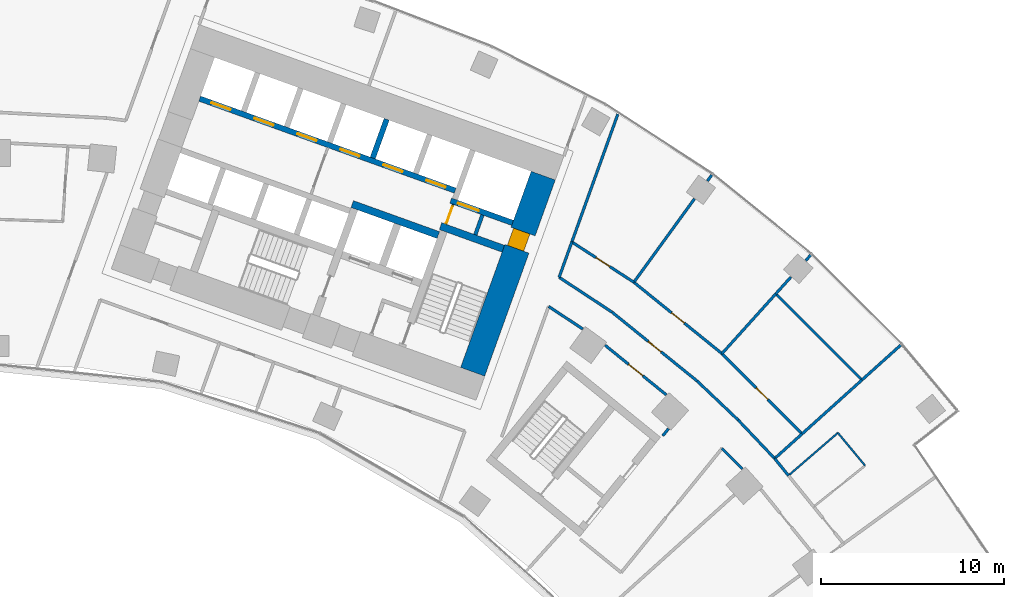
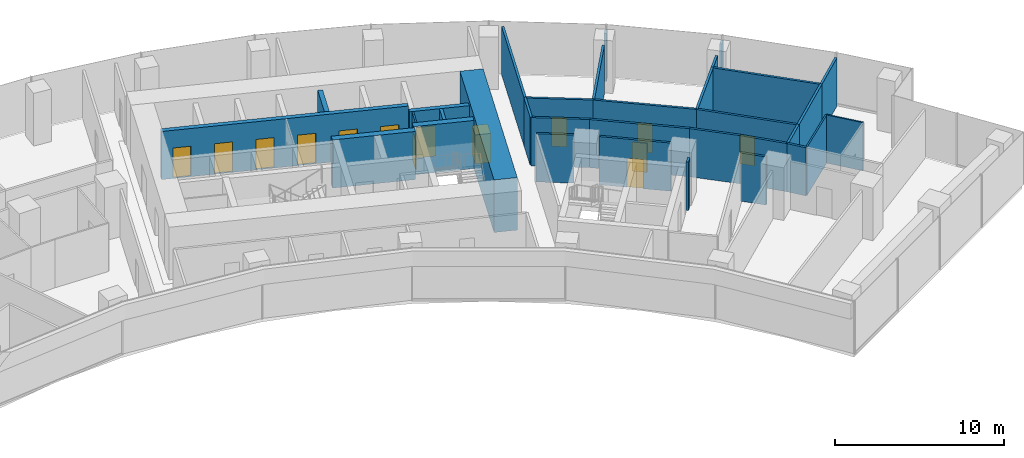
# One storey, part 16 of 19: 33 walls, 14 doors, 14 openings.
"""IFC4 building model written with IfcOpenShell, lengths in metres."""

from ifc_helpers import new_model, si_unit, direction, frame, frame_2d, origin, place, context, subcontext, project, spatial, rectangle, extrude, material, layer, layer_set, type_object, element, fill, save


model = new_model("IFC4")

# Units and contexts
model_context = context("Model", 3, precision=1e-05, world=origin(), true_north=direction((0.0, 1.0)))
body_context = subcontext(model_context, "Body", "Model", "MODEL_VIEW")
ifc_project = project(units=[si_unit("LENGTHUNIT", "METRE"), si_unit("AREAUNIT", "SQUARE_METRE"), si_unit("VOLUMEUNIT", "CUBIC_METRE"), si_unit("PLANEANGLEUNIT", "RADIAN"), si_unit("MASSUNIT", "GRAM", prefix="KILO")], contexts=[model_context])

# Site, building, storey
site_placement = place(None, origin())
site = spatial("IfcSite", under=ifc_project, at=site_placement, CompositionType="ELEMENT")
building_placement = place(site_placement, origin())
building = spatial("IfcBuilding", under=site, at=building_placement, Name="Stone Belt Terrace Tower", CompositionType="ELEMENT")
storey_placement = place(building_placement, frame((0.0, 0.0, 128.800048828125)))
storey = spatial("IfcBuildingStorey", under=building, at=storey_placement, Name="L31", CompositionType="ELEMENT", Elevation=128.800048828125)

# Wall, opening, door
ifc_material_1 = material(Name="Plasterboard partition")
ifc_layer_1 = layer(ifc_material_1, 0.10009765625)
ifc_layer_set_1 = layer_set([ifc_layer_1], Name="Core partition 100")
wall_type_1 = type_object("IfcWallType", Name="Core partition 100", PredefinedType="PARTITIONING", material=ifc_layer_set_1)
wall_1_placement = place(storey_placement, frame((24.555908203125, 51.10400390625, 0.0), z_axis=(0.0, 0.0, 1.0), x_axis=(0.338621735342, 0.94092258999, 0.0)))
wall_1 = element("IfcWall", 1, at=wall_1_placement, inside=storey, type_object=wall_type_1, Name="Core B wall", PredefinedType="PARTITIONING", context=body_context, shape_type="SweptSolid", body=[
    extrude(rectangle(XDim=1.14990234375, YDim=0.10009765625, at=frame_2d((0.574951171875, 0.0))), origin(), (0.0, 0.0, 1.0), 3.47998046875),
])
opening_1_placement = place(wall_1_placement, frame((0.050048828125, 0.0, 0.0)))
opening_1 = element("IfcOpeningElement", 2, at=opening_1_placement, cuts=wall_1, Name="Opening L31-C13", PredefinedType="OPENING", context=body_context, shape_type="SweptSolid", body=[
    extrude(rectangle(XDim=1.0, YDim=2.10009765625, at=frame_2d((0.5, 1.050048828125))), frame((0.0, 0.06005859375, 0.0), z_axis=(0.0, -1.0, 0.0), x_axis=(1.0, 0.0, 0.0)), (0.0, 0.0, 1.0), 0.1201171875),
])
ifc_material_2 = material(Name="Timber door leaf", Category="wood")
door_type_1 = type_object("IfcDoorType", Name="Core room door 1000", OperationType="SINGLE_SWING_LEFT", PredefinedType="DOOR", material=ifc_material_2)
door_1_placement = place(opening_1_placement, origin())
door_1 = element("IfcDoor", 3, at=door_1_placement, inside=storey, type_object=door_type_1, Name="Service lift lobby door core B", OperationType="SINGLE_SWING_RIGHT", OverallHeight=2.10009765625, OverallWidth=1.0, PredefinedType="DOOR", context=body_context, shape_type="SweptSolid", body=[
    extrude(rectangle(XDim=1.0, YDim=2.10009765625, at=frame_2d((0.5, 1.050048828125))), frame((0.0, 0.02490234375, 0.0), z_axis=(0.0, -1.0, 0.0), x_axis=(1.0, 0.0, 0.0)), (0.0, 0.0, 1.0), 0.050048828125),
])
fill(opening_1, door_1)

ifc_material_3 = material(Name="Concrete B80", Category="concrete")
ifc_layer_2 = layer(ifc_material_3, 1.39990234375)
ifc_layer_set_2 = layer_set([ifc_layer_2], Name="Core wall 1400 B80")
wall_type_2 = type_object("IfcWallType", Name="Core wall 1400 B80", PredefinedType="SHEAR", material=ifc_layer_set_2)
wall_2_placement = place(storey_placement, frame((26.00927734375, 43.03515625, 0.0), z_axis=(0.0, 0.0, 1.0), x_axis=(0.338625431531, 0.940921259788, 0.0)))
wall_2 = element("IfcWall", 4, at=wall_2_placement, inside=storey, type_object=wall_type_2, Name="Core B wall end_b L31", PredefinedType="SHEAR", context=body_context, shape_type="SweptSolid", body=[
    extrude(rectangle(XDim=11.400146484375, YDim=1.39990234375, at=frame_2d((5.7001953125, 0.0))), origin(), (0.0, 0.0, 1.0), 3.800048828125),
])
opening_2_placement = place(wall_2_placement, frame((7.14990234375, 0.0, 0.0)))
opening_2 = element("IfcOpeningElement", 5, at=opening_2_placement, cuts=wall_2, Name="Opening L31-C12", PredefinedType="OPENING", context=body_context, shape_type="SweptSolid", body=[
    extrude(rectangle(XDim=1.0, YDim=2.10009765625, at=frame_2d((0.5, 1.050048828125))), frame((0.0, 0.7099609375, 0.0), z_axis=(0.0, -1.0, 0.0), x_axis=(1.0, 0.0, 0.0)), (0.0, 0.0, 1.0), 1.419921875),
])
door_2_placement = place(opening_2_placement, origin())
door_2 = element("IfcDoor", 6, at=door_2_placement, inside=storey, type_object=door_type_1, Name="Door to Telecommunications riser room core B", OperationType="SINGLE_SWING_LEFT", OverallHeight=2.10009765625, OverallWidth=1.0, PredefinedType="DOOR", context=body_context, shape_type="SweptSolid", body=[
    extrude(rectangle(XDim=1.0, YDim=2.10009765625, at=frame_2d((0.5, 1.050048828125))), frame((0.0, 0.55517578125, 0.0), z_axis=(0.0, -1.0, 0.0), x_axis=(1.0, 0.0, 0.0)), (0.0, 0.0, 1.0), 0.949951171875),
])
fill(opening_2, door_2)

# Wall
ifc_layer_3 = layer(ifc_material_3, 0.39990234375)
ifc_layer_set_3 = layer_set([ifc_layer_3], Name="Fire-fighting lift shaft wall 400")
wall_type_3 = type_object("IfcWallType", Name="Fire-fighting lift shaft wall 400", PredefinedType="SHEAR", material=ifc_layer_set_3)
wall_3_placement = place(storey_placement, frame((24.130615234375, 50.512939453125, 0.0), z_axis=(0.0, 0.0, 1.0), x_axis=(-0.94091168377, 0.338652038744, 0.0)))
element("IfcWall", 7, at=wall_3_placement, inside=storey, type_object=wall_type_3, Name="Core B wall", PredefinedType="SHEAR", context=body_context, shape_type="SweptSolid", body=[
    extrude(rectangle(XDim=5.000244140625, YDim=0.39990234375, at=frame_2d((2.5, 0.0))), origin(), (0.0, 0.0, 1.0), 3.47998046875),
])

# Wall, opening, door
ifc_layer_4 = layer(ifc_material_3, 0.300048828125)
ifc_layer_set_4 = layer_set([ifc_layer_4], Name="Lift shaft wall 300")
wall_type_4 = type_object("IfcWallType", Name="Lift shaft wall 300", PredefinedType="SHEAR", material=ifc_layer_set_4)
wall_4_placement = place(storey_placement, frame((28.195068359375, 51.17578125, 0.0), z_axis=(0.0, 0.0, 1.0), x_axis=(-0.940901243567, 0.338681044427, 0.0)))
wall_4 = element("IfcWall", 8, at=wall_4_placement, inside=storey, type_object=wall_type_4, Name="Core B wall", PredefinedType="SHEAR", context=body_context, shape_type="SweptSolid", body=[
    extrude(rectangle(XDim=3.599853515625, YDim=0.300048828125, at=frame_2d((1.7998046875, 0.0))), origin(), (0.0, 0.0, 1.0), 3.47998046875),
])
opening_3_placement = place(wall_4_placement, frame((1.969970703125, 0.0, 0.0)))
opening_3 = element("IfcOpeningElement", 9, at=opening_3_placement, cuts=wall_4, Name="Opening L31-LD18", PredefinedType="OPENING", context=body_context, shape_type="SweptSolid", body=[
    extrude(rectangle(XDim=1.199951171875, YDim=2.199951171875, at=frame_2d((0.60009765625, 1.10009765625))), frame((0.0, 0.159912109375, 0.0), z_axis=(0.0, -1.0, 0.0), x_axis=(1.0, 0.0, 0.0)), (0.0, 0.0, 1.0), 0.320068359375),
])
ifc_material_4 = material(Name="Stainless steel door leaf", Category="steel")
door_type_2 = type_object("IfcDoorType", Name="Landing door 1200", OperationType="SLIDING_TO_LEFT", PredefinedType="DOOR", material=ifc_material_4)
door_3_placement = place(opening_3_placement, origin())
door_3 = element("IfcDoor", 10, at=door_3_placement, inside=storey, type_object=door_type_2, Name="Landing door SV1 core B", OperationType="SLIDING_TO_LEFT", OverallHeight=2.199951171875, OverallWidth=1.199951171875, PredefinedType="DOOR", context=body_context, shape_type="SweptSolid", body=[
    extrude(rectangle(XDim=1.199951171875, YDim=2.199951171875, at=frame_2d((0.60009765625, 1.10009765625))), frame((0.0, 0.02490234375, 0.0), z_axis=(0.0, -1.0, 0.0), x_axis=(1.0, 0.0, 0.0)), (0.0, 0.0, 1.0), 0.050048828125),
])
fill(opening_3, door_3)

# Wall, openings, doors
wall_5_placement = place(storey_placement, frame((25.05810546875, 52.9423828125, 0.0), z_axis=(0.0, 0.0, 1.0), x_axis=(-0.940918215764, 0.338633889685, 0.0)))
wall_5 = element("IfcWall", 11, at=wall_5_placement, inside=storey, type_object=wall_type_4, Name="Core B wall", PredefinedType="SHEAR", context=body_context, shape_type="SweptSolid", body=[
    extrude(rectangle(XDim=14.850341796875, YDim=0.300048828125, at=frame_2d((7.42529296875, 0.0))), origin(), (0.0, 0.0, 1.0), 3.47998046875),
])
opening_4_placement = place(wall_5_placement, frame((0.570068359375, 0.0, 0.0)))
opening_4 = element("IfcOpeningElement", 12, at=opening_4_placement, cuts=wall_5, Name="Opening L31-LD10", PredefinedType="OPENING", context=body_context, shape_type="SweptSolid", body=[
    extrude(rectangle(XDim=1.10009765625, YDim=2.199951171875, at=frame_2d((0.550048828125, 1.10009765625))), frame((0.0, 0.159912109375, 0.0), z_axis=(0.0, -1.0, 0.0), x_axis=(1.0, 0.0, 0.0)), (0.0, 0.0, 1.0), 0.320068359375),
])
opening_5_placement = place(wall_5_placement, frame((3.070068359375, 0.0, 0.0)))
opening_5 = element("IfcOpeningElement", 13, at=opening_5_placement, cuts=wall_5, Name="Opening L31-LD11", PredefinedType="OPENING", context=body_context, shape_type="SweptSolid", body=[
    extrude(rectangle(XDim=1.10009765625, YDim=2.199951171875, at=frame_2d((0.550048828125, 1.10009765625))), frame((0.0, 0.159912109375, 0.0), z_axis=(0.0, -1.0, 0.0), x_axis=(1.0, 0.0, 0.0)), (0.0, 0.0, 1.0), 0.320068359375),
])
opening_6_placement = place(wall_5_placement, frame((5.570068359375, 0.0, 0.0)))
opening_6 = element("IfcOpeningElement", 14, at=opening_6_placement, cuts=wall_5, Name="Opening L31-LD12", PredefinedType="OPENING", context=body_context, shape_type="SweptSolid", body=[
    extrude(rectangle(XDim=1.10009765625, YDim=2.199951171875, at=frame_2d((0.550048828125, 1.10009765625))), frame((0.0, 0.159912109375, 0.0), z_axis=(0.0, -1.0, 0.0), x_axis=(1.0, 0.0, 0.0)), (0.0, 0.0, 1.0), 0.320068359375),
])
opening_7_placement = place(wall_5_placement, frame((8.070068359375, 0.0, 0.0)))
opening_7 = element("IfcOpeningElement", 15, at=opening_7_placement, cuts=wall_5, Name="Opening L31-LD13", PredefinedType="OPENING", context=body_context, shape_type="SweptSolid", body=[
    extrude(rectangle(XDim=1.10009765625, YDim=2.199951171875, at=frame_2d((0.550048828125, 1.10009765625))), frame((0.0, 0.159912109375, 0.0), z_axis=(0.0, -1.0, 0.0), x_axis=(1.0, 0.0, 0.0)), (0.0, 0.0, 1.0), 0.320068359375),
])
opening_8_placement = place(wall_5_placement, frame((10.570068359375, 0.0, 0.0)))
opening_8 = element("IfcOpeningElement", 16, at=opening_8_placement, cuts=wall_5, Name="Opening L31-LD14", PredefinedType="OPENING", context=body_context, shape_type="SweptSolid", body=[
    extrude(rectangle(XDim=1.10009765625, YDim=2.199951171875, at=frame_2d((0.550048828125, 1.10009765625))), frame((0.0, 0.159912109375, 0.0), z_axis=(0.0, -1.0, 0.0), x_axis=(1.0, 0.0, 0.0)), (0.0, 0.0, 1.0), 0.320068359375),
])
opening_9_placement = place(wall_5_placement, frame((13.070068359375, 0.0, 0.0)))
opening_9 = element("IfcOpeningElement", 17, at=opening_9_placement, cuts=wall_5, Name="Opening L31-LD15", PredefinedType="OPENING", context=body_context, shape_type="SweptSolid", body=[
    extrude(rectangle(XDim=1.10009765625, YDim=2.199951171875, at=frame_2d((0.550048828125, 1.10009765625))), frame((0.0, 0.159912109375, 0.0), z_axis=(0.0, -1.0, 0.0), x_axis=(1.0, 0.0, 0.0)), (0.0, 0.0, 1.0), 0.320068359375),
])
door_type_3 = type_object("IfcDoorType", Name="Landing door 1100", OperationType="SLIDING_TO_LEFT", PredefinedType="DOOR", material=ifc_material_4)
door_4_placement = place(opening_4_placement, origin())
door_4 = element("IfcDoor", 18, at=door_4_placement, inside=storey, type_object=door_type_3, Name="Landing door LR1 core B", OperationType="SLIDING_TO_LEFT", OverallHeight=2.199951171875, OverallWidth=1.10009765625, PredefinedType="DOOR", context=body_context, shape_type="SweptSolid", body=[
    extrude(rectangle(XDim=1.10009765625, YDim=2.199951171875, at=frame_2d((0.550048828125, 1.10009765625))), frame((0.0, 0.02490234375, 0.0), z_axis=(0.0, -1.0, 0.0), x_axis=(1.0, 0.0, 0.0)), (0.0, 0.0, 1.0), 0.050048828125),
])
fill(opening_4, door_4)
door_5_placement = place(opening_5_placement, origin())
door_5 = element("IfcDoor", 19, at=door_5_placement, inside=storey, type_object=door_type_3, Name="Landing door LR2 core B", OperationType="SLIDING_TO_LEFT", OverallHeight=2.199951171875, OverallWidth=1.10009765625, PredefinedType="DOOR", context=body_context, shape_type="SweptSolid", body=[
    extrude(rectangle(XDim=1.10009765625, YDim=2.199951171875, at=frame_2d((0.550048828125, 1.10009765625))), frame((0.0, 0.02490234375, 0.0), z_axis=(0.0, -1.0, 0.0), x_axis=(1.0, 0.0, 0.0)), (0.0, 0.0, 1.0), 0.050048828125),
])
fill(opening_5, door_5)
door_6_placement = place(opening_6_placement, origin())
door_6 = element("IfcDoor", 20, at=door_6_placement, inside=storey, type_object=door_type_3, Name="Landing door LR3 core B", OperationType="SLIDING_TO_LEFT", OverallHeight=2.199951171875, OverallWidth=1.10009765625, PredefinedType="DOOR", context=body_context, shape_type="SweptSolid", body=[
    extrude(rectangle(XDim=1.10009765625, YDim=2.199951171875, at=frame_2d((0.550048828125, 1.10009765625))), frame((0.0, 0.02490234375, 0.0), z_axis=(0.0, -1.0, 0.0), x_axis=(1.0, 0.0, 0.0)), (0.0, 0.0, 1.0), 0.050048828125),
])
fill(opening_6, door_6)
door_7_placement = place(opening_7_placement, origin())
door_7 = element("IfcDoor", 21, at=door_7_placement, inside=storey, type_object=door_type_3, Name="Landing door LR4 core B", OperationType="SLIDING_TO_LEFT", OverallHeight=2.199951171875, OverallWidth=1.10009765625, PredefinedType="DOOR", context=body_context, shape_type="SweptSolid", body=[
    extrude(rectangle(XDim=1.10009765625, YDim=2.199951171875, at=frame_2d((0.550048828125, 1.10009765625))), frame((0.0, 0.02490234375, 0.0), z_axis=(0.0, -1.0, 0.0), x_axis=(1.0, 0.0, 0.0)), (0.0, 0.0, 1.0), 0.050048828125),
])
fill(opening_7, door_7)
door_8_placement = place(opening_8_placement, origin())
door_8 = element("IfcDoor", 22, at=door_8_placement, inside=storey, type_object=door_type_3, Name="Landing door LR5 core B", OperationType="SLIDING_TO_LEFT", OverallHeight=2.199951171875, OverallWidth=1.10009765625, PredefinedType="DOOR", context=body_context, shape_type="SweptSolid", body=[
    extrude(rectangle(XDim=1.10009765625, YDim=2.199951171875, at=frame_2d((0.550048828125, 1.10009765625))), frame((0.0, 0.02490234375, 0.0), z_axis=(0.0, -1.0, 0.0), x_axis=(1.0, 0.0, 0.0)), (0.0, 0.0, 1.0), 0.050048828125),
])
fill(opening_8, door_8)
door_9_placement = place(opening_9_placement, origin())
door_9 = element("IfcDoor", 23, at=door_9_placement, inside=storey, type_object=door_type_3, Name="Landing door LR6 core B", OperationType="SLIDING_TO_LEFT", OverallHeight=2.199951171875, OverallWidth=1.10009765625, PredefinedType="DOOR", context=body_context, shape_type="SweptSolid", body=[
    extrude(rectangle(XDim=1.10009765625, YDim=2.199951171875, at=frame_2d((0.550048828125, 1.10009765625))), frame((0.0, 0.02490234375, 0.0), z_axis=(0.0, -1.0, 0.0), x_axis=(1.0, 0.0, 0.0)), (0.0, 0.0, 1.0), 0.050048828125),
])
fill(opening_9, door_9)

# Walls
wall_6_placement = place(storey_placement, frame((20.54541015625, 54.72607421875, 0.0), z_axis=(0.0, 0.0, 1.0), x_axis=(0.338569601369, 0.940941350472, 0.0)))
element("IfcWall", 24, at=wall_6_placement, inside=storey, type_object=wall_type_4, Name="Core B wall", PredefinedType="SHEAR", context=body_context, shape_type="SweptSolid", body=[
    extrude(rectangle(XDim=2.249755859375, YDim=0.300048828125, at=frame_2d((1.125, 0.0))), origin(), (0.0, 0.0, 1.0), 3.47998046875),
])
ifc_material_5 = material(Name="Gypsum board partition")
ifc_layer_5 = layer(ifc_material_5, 0.10009765625)
ifc_layer_set_5 = layer_set([ifc_layer_5], Name="PARTITION 100")
wall_type_5 = type_object("IfcWallType", Name="PARTITION 100", PredefinedType="PARTITIONING", material=ifc_layer_set_5)
wall_7_placement = place(storey_placement, frame((47.469970703125, 37.904052734375, 0.0), z_axis=(0.0, 0.0, 1.0), x_axis=(-0.638843176943, 0.76933698421, 0.0)))
element("IfcWall", 25, at=wall_7_placement, inside=storey, type_object=wall_type_5, Name="L31/wall/i075", PredefinedType="PARTITIONING", context=body_context, shape_type="SweptSolid", body=[
    extrude(rectangle(XDim=2.329345703125, YDim=0.10009765625, at=frame_2d((1.16455078125, 0.0))), origin(), (0.0, 0.0, 1.0), 3.47998046875),
])
wall_8_placement = place(storey_placement, frame((45.98193359375, 39.696044921875, 0.0), z_axis=(0.0, 0.0, 1.0), x_axis=(-0.756984357141, -0.653432998128, 0.0)))
element("IfcWall", 26, at=wall_8_placement, inside=storey, type_object=wall_type_5, Name="L31/wall/i076", PredefinedType="PARTITIONING", context=body_context, shape_type="SweptSolid", body=[
    extrude(rectangle(XDim=3.57177734375, YDim=0.10009765625, at=frame_2d((1.785888671875, 0.0))), origin(), (0.0, 0.0, 1.0), 3.47998046875),
])
ifc_layer_6 = layer(ifc_material_5, 0.14990234375)
ifc_layer_set_6 = layer_set([ifc_layer_6], Name="PARTITION 150 EI 60")
wall_type_6 = type_object("IfcWallType", Name="PARTITION 150 EI 60", PredefinedType="PARTITIONING", material=ifc_layer_set_6)
wall_9_placement = place(storey_placement, frame((31.43603515625, 50.139892578125, 0.0), z_axis=(0.0, 0.0, 1.0), x_axis=(-0.338522672426, -0.940958235127, 0.0)))
element("IfcWall", 27, at=wall_9_placement, inside=storey, type_object=wall_type_6, Name="L31/wall/i026", PredefinedType="PARTITIONING", context=body_context, shape_type="SweptSolid", body=[
    extrude(rectangle(XDim=2.064697265625, YDim=0.14990234375, at=frame_2d((1.0322265625, 0.0))), origin(), (0.0, 0.0, 1.0), 3.47998046875),
])
wall_10_placement = place(storey_placement, frame((33.951904296875, 57.131103515625, 0.0), z_axis=(0.0, 0.0, 1.0), x_axis=(-0.338585885873, -0.940935490822, 0.0)))
element("IfcWall", 28, at=wall_10_placement, inside=storey, type_object=wall_type_6, Name="L31/wall/i027", PredefinedType="PARTITIONING", context=body_context, shape_type="SweptSolid", body=[
    extrude(rectangle(XDim=7.44287109375, YDim=0.14990234375, at=frame_2d((3.721435546875, 0.0))), origin(), (0.0, 0.0, 1.0), 3.47998046875),
])

# Wall, opening, door
wall_11_placement = place(storey_placement, frame((36.599365234375, 41.77587890625, 0.0), z_axis=(0.0, 0.0, 1.0), x_axis=(-0.777153738144, 0.62931078752, 0.0)))
wall_11 = element("IfcWall", 29, at=wall_11_placement, inside=storey, type_object=wall_type_6, Name="L31/wall/i047", PredefinedType="PARTITIONING", context=body_context, shape_type="SweptSolid", body=[
    extrude(rectangle(XDim=4.30517578125, YDim=0.14990234375, at=frame_2d((2.152587890625, 0.0))), origin(), (0.0, 0.0, 1.0), 3.47998046875),
])
opening_10_placement = place(wall_11_placement, frame((1.652587890625, 0.0, 0.0)))
opening_10 = element("IfcOpeningElement", 30, at=opening_10_placement, cuts=wall_11, Name="Opening D-B5-17", PredefinedType="OPENING", context=body_context, shape_type="SweptSolid", body=[
    extrude(rectangle(XDim=1.0, YDim=2.10009765625, at=frame_2d((0.5, 1.050048828125))), frame((0.0, 0.0849609375, 0.0), z_axis=(0.0, -1.0, 0.0), x_axis=(1.0, 0.0, 0.0)), (0.0, 0.0, 1.0), 0.169921875),
])
ifc_material_6 = material(Name="Timber fire door leaf", Category="wood")
door_type_4 = type_object("IfcDoorType", Name="TENANCY ENTRANCE DOOR 1000 X 2100", OperationType="NOTDEFINED", PredefinedType="DOOR", material=ifc_material_6)
door_10_placement = place(opening_10_placement, origin())
door_10 = element("IfcDoor", 31, at=door_10_placement, inside=storey, type_object=door_type_4, Name="L31/door/i17", OperationType="SINGLE_SWING_RIGHT", OverallHeight=2.10009765625, OverallWidth=1.0, PredefinedType="DOOR", context=body_context, shape_type="SweptSolid", body=[
    extrude(rectangle(XDim=1.0, YDim=2.10009765625, at=frame_2d((0.5, 1.050048828125))), frame((0.0, 0.02490234375, 0.0), z_axis=(0.0, -1.0, 0.0), x_axis=(1.0, 0.0, 0.0)), (0.0, 0.0, 1.0), 0.050048828125),
])
fill(opening_10, door_10)

# Walls
wall_12_placement = place(storey_placement, frame((32.03466796875, 45.37646484375, 0.0), z_axis=(0.0, 0.0, 1.0), x_axis=(-0.835456606052, 0.549556420583, 0.0)))
element("IfcWall", 32, at=wall_12_placement, inside=storey, type_object=wall_type_6, Name="L31/wall/i048", PredefinedType="PARTITIONING", context=body_context, shape_type="SweptSolid", body=[
    extrude(rectangle(XDim=2.239013671875, YDim=0.14990234375, at=frame_2d((1.11962890625, 0.0))), origin(), (0.0, 0.0, 1.0), 3.47998046875),
])
wall_13_placement = place(storey_placement, frame((30.739013671875, 48.202880859375, 0.0), z_axis=(0.0, 0.0, 1.0), x_axis=(0.835274160171, -0.549833681535, 0.0)))
element("IfcWall", 33, at=wall_13_placement, inside=storey, type_object=wall_type_6, Name="L31/wall/i049", PredefinedType="PARTITIONING", context=body_context, shape_type="SweptSolid", body=[
    extrude(rectangle(XDim=3.46826171875, YDim=0.14990234375, at=frame_2d((1.734130859375, 0.0))), origin(), (0.0, 0.0, 1.0), 3.47998046875),
])

# Wall, opening, door
wall_14_placement = place(storey_placement, frame((33.635986328125, 46.2958984375, 0.0), z_axis=(0.0, 0.0, 1.0), x_axis=(0.777109127033, -0.629365875054, 0.0)))
wall_14 = element("IfcWall", 34, at=wall_14_placement, inside=storey, type_object=wall_type_6, Name="L31/wall/i050", PredefinedType="PARTITIONING", context=body_context, shape_type="SweptSolid", body=[
    extrude(rectangle(XDim=5.990234375, YDim=0.14990234375, at=frame_2d((2.9951171875, 0.0))), origin(), (0.0, 0.0, 1.0), 3.47998046875),
])
opening_11_placement = place(wall_14_placement, frame((2.545166015625, 0.0, 0.0)))
opening_11 = element("IfcOpeningElement", 35, at=opening_11_placement, cuts=wall_14, Name="Opening D-B5-20", PredefinedType="OPENING", context=body_context, shape_type="SweptSolid", body=[
    extrude(rectangle(XDim=0.89990234375, YDim=2.10009765625, at=frame_2d((0.449951171875, 1.050048828125))), frame((0.0, 0.0849609375, 0.0), z_axis=(0.0, -1.0, 0.0), x_axis=(1.0, 0.0, 0.0)), (0.0, 0.0, 1.0), 0.169921875),
])
door_type_5 = type_object("IfcDoorType", Name="OFFICE DOOR 900 X 2100", OperationType="NOTDEFINED", PredefinedType="DOOR", material=ifc_material_2)
door_11_placement = place(opening_11_placement, origin())
door_11 = element("IfcDoor", 36, at=door_11_placement, inside=storey, type_object=door_type_5, Name="L31/door/i20", OperationType="SINGLE_SWING_RIGHT", OverallHeight=2.10009765625, OverallWidth=0.89990234375, PredefinedType="DOOR", context=body_context, shape_type="SweptSolid", body=[
    extrude(rectangle(XDim=0.89990234375, YDim=2.10009765625, at=frame_2d((0.449951171875, 1.050048828125))), frame((0.0, 0.02490234375, 0.0), z_axis=(0.0, -1.0, 0.0), x_axis=(1.0, 0.0, 0.0)), (0.0, 0.0, 1.0), 0.050048828125),
])
fill(opening_11, door_11)

# Walls
wall_15_placement = place(storey_placement, frame((38.291015625, 42.52587890625, 0.0), z_axis=(0.0, 0.0, 1.0), x_axis=(0.724835843729, -0.688921620829, 0.0)))
element("IfcWall", 37, at=wall_15_placement, inside=storey, type_object=wall_type_6, Name="L31/wall/i051", PredefinedType="PARTITIONING", context=body_context, shape_type="SweptSolid", body=[
    extrude(rectangle(XDim=3.093017578125, YDim=0.14990234375, at=frame_2d((1.54638671875, 0.0))), origin(), (0.0, 0.0, 1.0), 3.47998046875),
])
wall_16_placement = place(storey_placement, frame((40.765625, 37.721435546875, 0.0), z_axis=(0.0, 0.0, 1.0), x_axis=(-0.707106781187, 0.707106781187, 0.0)))
element("IfcWall", 38, at=wall_16_placement, inside=storey, type_object=wall_type_6, Name="L31/wall/i052", PredefinedType="PARTITIONING", context=body_context, shape_type="SweptSolid", body=[
    extrude(rectangle(XDim=1.587646484375, YDim=0.14990234375, at=frame_2d((0.7939453125, 0.0))), origin(), (0.0, 0.0, 1.0), 3.47998046875),
])
wall_17_placement = place(storey_placement, frame((40.532958984375, 40.39501953125, 0.0), z_axis=(0.0, 0.0, 1.0), x_axis=(0.687681554755, -0.726012451167, 0.0)))
element("IfcWall", 39, at=wall_17_placement, inside=storey, type_object=wall_type_6, Name="L31/wall/i054", PredefinedType="PARTITIONING", context=body_context, shape_type="SweptSolid", body=[
    extrude(rectangle(XDim=2.89794921875, YDim=0.14990234375, at=frame_2d((1.448974609375, 0.0))), origin(), (0.0, 0.0, 1.0), 3.47998046875),
])
wall_18_placement = place(storey_placement, frame((42.527099609375, 38.2900390625, 0.0), z_axis=(0.0, 0.0, 1.0), x_axis=(0.628952429946, -0.777443786305, 0.0)))
element("IfcWall", 40, at=wall_18_placement, inside=storey, type_object=wall_type_6, Name="L31/wall/i055", PredefinedType="PARTITIONING", context=body_context, shape_type="SweptSolid", body=[
    extrude(rectangle(XDim=1.2001953125, YDim=0.14990234375, at=frame_2d((0.60009765625, 0.0))), origin(), (0.0, 0.0, 1.0), 3.47998046875),
])
wall_19_placement = place(storey_placement, frame((36.406005859375, 39.537109375, 0.0), z_axis=(0.0, 0.0, 1.0), x_axis=(0.630355285391, 0.776306778393, 0.0)))
element("IfcWall", 41, at=wall_19_placement, inside=storey, type_object=wall_type_6, Name="L31/wall/i058", PredefinedType="PARTITIONING", context=body_context, shape_type="SweptSolid", body=[
    extrude(rectangle(XDim=0.50341796875, YDim=0.14990234375, at=frame_2d((0.251708984375, 0.0))), origin(), (0.0, 0.0, 1.0), 3.47998046875),
])

# Wall, opening, door
wall_20_placement = place(storey_placement, frame((31.43408203125, 50.134033203125, 0.0), z_axis=(0.0, 0.0, 1.0), x_axis=(0.838660143757, -0.544655086521, 0.0)))
wall_20 = element("IfcWall", 42, at=wall_20_placement, inside=storey, type_object=wall_type_6, Name="L31/wall/i062", PredefinedType="PARTITIONING", context=body_context, shape_type="SweptSolid", body=[
    extrude(rectangle(XDim=4.043212890625, YDim=0.14990234375, at=frame_2d((2.021484375, 0.0))), origin(), (0.0, 0.0, 1.0), 3.47998046875),
])
opening_12_placement = place(wall_20_placement, frame((1.571533203125, 0.0, 0.0)))
opening_12 = element("IfcOpeningElement", 43, at=opening_12_placement, cuts=wall_20, Name="Opening D-B5-21", PredefinedType="OPENING", context=body_context, shape_type="SweptSolid", body=[
    extrude(rectangle(XDim=0.89990234375, YDim=2.10009765625, at=frame_2d((0.449951171875, 1.050048828125))), frame((0.0, 0.0849609375, 0.0), z_axis=(0.0, -1.0, 0.0), x_axis=(1.0, 0.0, 0.0)), (0.0, 0.0, 1.0), 0.169921875),
])
door_12_placement = place(opening_12_placement, origin())
door_12 = element("IfcDoor", 44, at=door_12_placement, inside=storey, type_object=door_type_5, Name="L31/door/i21", OperationType="SINGLE_SWING_RIGHT", OverallHeight=2.10009765625, OverallWidth=0.89990234375, PredefinedType="DOOR", context=body_context, shape_type="SweptSolid", body=[
    extrude(rectangle(XDim=0.89990234375, YDim=2.10009765625, at=frame_2d((0.449951171875, 1.050048828125))), frame((0.0, 0.02490234375, 0.0), z_axis=(0.0, -1.0, 0.0), x_axis=(1.0, 0.0, 0.0)), (0.0, 0.0, 1.0), 0.050048828125),
])
fill(opening_12, door_12)

wall_21_placement = place(storey_placement, frame((34.824951171875, 47.931884765625, 0.0), z_axis=(0.0, 0.0, 1.0), x_axis=(0.777190769916, -0.629265053184, 0.0)))
wall_21 = element("IfcWall", 45, at=wall_21_placement, inside=storey, type_object=wall_type_6, Name="L31/wall/i063", PredefinedType="PARTITIONING", context=body_context, shape_type="SweptSolid", body=[
    extrude(rectangle(XDim=6.20068359375, YDim=0.14990234375, at=frame_2d((3.100341796875, 0.0))), origin(), (0.0, 0.0, 1.0), 3.47998046875),
])
opening_13_placement = place(wall_21_placement, frame((2.650390625, 0.0, 0.0)))
opening_13 = element("IfcOpeningElement", 46, at=opening_13_placement, cuts=wall_21, Name="Opening D-B5-22", PredefinedType="OPENING", context=body_context, shape_type="SweptSolid", body=[
    extrude(rectangle(XDim=0.89990234375, YDim=2.10009765625, at=frame_2d((0.449951171875, 1.050048828125))), frame((0.0, 0.0849609375, 0.0), z_axis=(0.0, -1.0, 0.0), x_axis=(1.0, 0.0, 0.0)), (0.0, 0.0, 1.0), 0.169921875),
])
door_13_placement = place(opening_13_placement, origin())
door_13 = element("IfcDoor", 47, at=door_13_placement, inside=storey, type_object=door_type_5, Name="L31/door/i22", OperationType="SINGLE_SWING_RIGHT", OverallHeight=2.10009765625, OverallWidth=0.89990234375, PredefinedType="DOOR", context=body_context, shape_type="SweptSolid", body=[
    extrude(rectangle(XDim=0.89990234375, YDim=2.10009765625, at=frame_2d((0.449951171875, 1.050048828125))), frame((0.0, 0.02490234375, 0.0), z_axis=(0.0, -1.0, 0.0), x_axis=(1.0, 0.0, 0.0)), (0.0, 0.0, 1.0), 0.050048828125),
])
fill(opening_13, door_13)

wall_22_placement = place(storey_placement, frame((39.639892578125, 44.033935546875, 0.0), z_axis=(0.0, 0.0, 1.0), x_axis=(0.707126447351, -0.707087114475, 0.0)))
wall_22 = element("IfcWall", 48, at=wall_22_placement, inside=storey, type_object=wall_type_6, Name="L31/wall/i064", PredefinedType="PARTITIONING", context=body_context, shape_type="SweptSolid", body=[
    extrude(rectangle(XDim=6.20703125, YDim=0.14990234375, at=frame_2d((3.103515625, 0.0))), origin(), (0.0, 0.0, 1.0), 3.47998046875),
])
opening_14_placement = place(wall_22_placement, frame((2.653564453125, 0.0, 0.0)))
opening_14 = element("IfcOpeningElement", 49, at=opening_14_placement, cuts=wall_22, Name="Opening D-B5-23", PredefinedType="OPENING", context=body_context, shape_type="SweptSolid", body=[
    extrude(rectangle(XDim=0.89990234375, YDim=2.10009765625, at=frame_2d((0.449951171875, 1.050048828125))), frame((0.0, 0.0849609375, 0.0), z_axis=(0.0, -1.0, 0.0), x_axis=(1.0, 0.0, 0.0)), (0.0, 0.0, 1.0), 0.169921875),
])
door_14_placement = place(opening_14_placement, origin())
door_14 = element("IfcDoor", 50, at=door_14_placement, inside=storey, type_object=door_type_5, Name="L31/door/i23", OperationType="SINGLE_SWING_RIGHT", OverallHeight=2.10009765625, OverallWidth=0.89990234375, PredefinedType="DOOR", context=body_context, shape_type="SweptSolid", body=[
    extrude(rectangle(XDim=0.89990234375, YDim=2.10009765625, at=frame_2d((0.449951171875, 1.050048828125))), frame((0.0, 0.02490234375, 0.0), z_axis=(0.0, -1.0, 0.0), x_axis=(1.0, 0.0, 0.0)), (0.0, 0.0, 1.0), 0.050048828125),
])
fill(opening_14, door_14)

# Walls
wall_23_placement = place(storey_placement, frame((44.029052734375, 39.64501953125, 0.0), z_axis=(0.0, 0.0, 1.0), x_axis=(-0.743012054614, -0.669278033927, 0.0)))
element("IfcWall", 51, at=wall_23_placement, inside=storey, type_object=wall_type_6, Name="L31/wall/i065", PredefinedType="PARTITIONING", context=body_context, shape_type="SweptSolid", body=[
    extrude(rectangle(XDim=2.023193359375, YDim=0.14990234375, at=frame_2d((1.01171875, 0.0))), origin(), (0.0, 0.0, 1.0), 3.47998046875),
])
wall_24_placement = place(storey_placement, frame((39.087890625, 53.7998046875, 0.0), z_axis=(0.0, 0.0, 1.0), x_axis=(-0.588207421816, -0.808710101904, 0.0)))
element("IfcWall", 52, at=wall_24_placement, inside=storey, type_object=wall_type_6, Name="L31/wall/i066", PredefinedType="PARTITIONING", context=body_context, shape_type="SweptSolid", body=[
    extrude(rectangle(XDim=0.40625, YDim=0.14990234375, at=frame_2d((0.203125, 0.0))), origin(), (0.0, 0.0, 1.0), 3.47998046875),
])
wall_25_placement = place(storey_placement, frame((38.1376953125, 52.4921875, 0.0), z_axis=(0.0, 0.0, 1.0), x_axis=(-0.587726060758, -0.809059996234, 0.0)))
element("IfcWall", 53, at=wall_25_placement, inside=storey, type_object=wall_type_6, Name="L31/wall/i067", PredefinedType="PARTITIONING", context=body_context, shape_type="SweptSolid", body=[
    extrude(rectangle(XDim=5.636474609375, YDim=0.14990234375, at=frame_2d((2.818359375, 0.0))), origin(), (0.0, 0.0, 1.0), 3.47998046875),
])
wall_26_placement = place(storey_placement, frame((42.592041015625, 47.303955078125, 0.0), z_axis=(0.0, 0.0, 1.0), x_axis=(-0.669148410698, -0.743128793992, 0.0)))
element("IfcWall", 54, at=wall_26_placement, inside=storey, type_object=wall_type_6, Name="L31/wall/i068", PredefinedType="PARTITIONING", context=body_context, shape_type="SweptSolid", body=[
    extrude(rectangle(XDim=4.405517578125, YDim=0.14990234375, at=frame_2d((2.20263671875, 0.0))), origin(), (0.0, 0.0, 1.0), 3.47998046875),
])
wall_27_placement = place(storey_placement, frame((44.496826171875, 49.419189453125, 0.0), z_axis=(0.0, 0.0, 1.0), x_axis=(-0.669463057056, -0.742845350821, 0.0)))
element("IfcWall", 55, at=wall_27_placement, inside=storey, type_object=wall_type_6, Name="L31/wall/i069", PredefinedType="PARTITIONING", context=body_context, shape_type="SweptSolid", body=[
    extrude(rectangle(XDim=0.406005859375, YDim=0.14990234375, at=frame_2d((0.203125, 0.0))), origin(), (0.0, 0.0, 1.0), 3.47998046875),
])
wall_28_placement = place(storey_placement, frame((43.415283203125, 48.218505859375, 0.0), z_axis=(0.0, 0.0, 1.0), x_axis=(-0.669388214241, -0.742912793426, 0.0)))
element("IfcWall", 56, at=wall_28_placement, inside=storey, type_object=wall_type_6, Name="L31/wall/i070", PredefinedType="PARTITIONING", context=body_context, shape_type="SweptSolid", body=[
    extrude(rectangle(XDim=1.241943359375, YDim=0.14990234375, at=frame_2d((0.62109375, 0.0))), origin(), (0.0, 0.0, 1.0), 3.47998046875),
])
wall_29_placement = place(storey_placement, frame((42.587890625, 47.300048828125, 0.0), z_axis=(0.0, 0.0, 1.0), x_axis=(0.7071251031, -0.707088458798, 0.0)))
element("IfcWall", 57, at=wall_29_placement, inside=storey, type_object=wall_type_6, Name="L31/wall/i071", PredefinedType="PARTITIONING", context=body_context, shape_type="SweptSolid", body=[
    extrude(rectangle(XDim=6.662353515625, YDim=0.14990234375, at=frame_2d((3.3310546875, 0.0))), origin(), (0.0, 0.0, 1.0), 3.47998046875),
])
wall_30_placement = place(storey_placement, frame((47.299072265625, 42.589111328125, 0.0), z_axis=(0.0, 0.0, 1.0), x_axis=(-0.743172740326, -0.669099602478, 0.0)))
element("IfcWall", 58, at=wall_30_placement, inside=storey, type_object=wall_type_6, Name="L31/wall/i072", PredefinedType="PARTITIONING", context=body_context, shape_type="SweptSolid", body=[
    extrude(rectangle(XDim=4.400146484375, YDim=0.14990234375, at=frame_2d((2.2001953125, 0.0))), origin(), (0.0, 0.0, 1.0), 3.47998046875),
])
wall_31_placement = place(storey_placement, frame((49.41943359375, 44.496826171875, 0.0), z_axis=(0.0, 0.0, 1.0), x_axis=(-0.743400540609, -0.668846496755, 0.0)))
element("IfcWall", 59, at=wall_31_placement, inside=storey, type_object=wall_type_6, Name="L31/wall/i073", PredefinedType="PARTITIONING", context=body_context, shape_type="SweptSolid", body=[
    extrude(rectangle(XDim=2.852294921875, YDim=0.14990234375, at=frame_2d((1.42626953125, 0.0))), origin(), (0.0, 0.0, 1.0), 3.47998046875),
])
ifc_material_7 = material(Name="Concrete masonry block", Category="masonry")
ifc_layer_7 = layer(ifc_material_7, 0.199951171875)
ifc_layer_set_7 = layer_set([ifc_layer_7], Name="Rated lobby wall 200")
wall_type_7 = type_object("IfcWallType", Name="Rated lobby wall 200", PredefinedType="PARTITIONING", material=ifc_layer_set_7)
wall_32_placement = place(storey_placement, frame((26.1552734375, 50.5283203125, 0.0), z_axis=(0.0, 0.0, 1.0), x_axis=(0.338621735342, 0.94092258999, 0.0)))
element("IfcWall", 60, at=wall_32_placement, inside=storey, type_object=wall_type_7, Name="Core B wall", PredefinedType="PARTITIONING", context=body_context, shape_type="SweptSolid", body=[
    extrude(rectangle(XDim=1.14990234375, YDim=0.199951171875, at=frame_2d((0.574951171875, 0.0))), origin(), (0.0, 0.0, 1.0), 3.47998046875),
])
ifc_layer_8 = layer(ifc_material_3, 0.39990234375)
ifc_layer_set_8 = layer_set([ifc_layer_8], Name="Stair enclosure wall 400")
wall_type_8 = type_object("IfcWallType", Name="Stair enclosure wall 400", PredefinedType="SHEAR", material=ifc_layer_set_8)
wall_33_placement = place(storey_placement, frame((27.687255859375, 49.764404296875, 0.0), z_axis=(0.0, 0.0, 1.0), x_axis=(-0.940918954884, 0.338631835981, 0.0)))
element("IfcWall", 61, at=wall_33_placement, inside=storey, type_object=wall_type_8, Name="Core B wall", PredefinedType="SHEAR", context=body_context, shape_type="SweptSolid", body=[
    extrude(rectangle(XDim=3.650146484375, YDim=0.39990234375, at=frame_2d((1.8251953125, 0.0))), origin(), (0.0, 0.0, 1.0), 3.47998046875),
])

save(model, "model.ifc")
